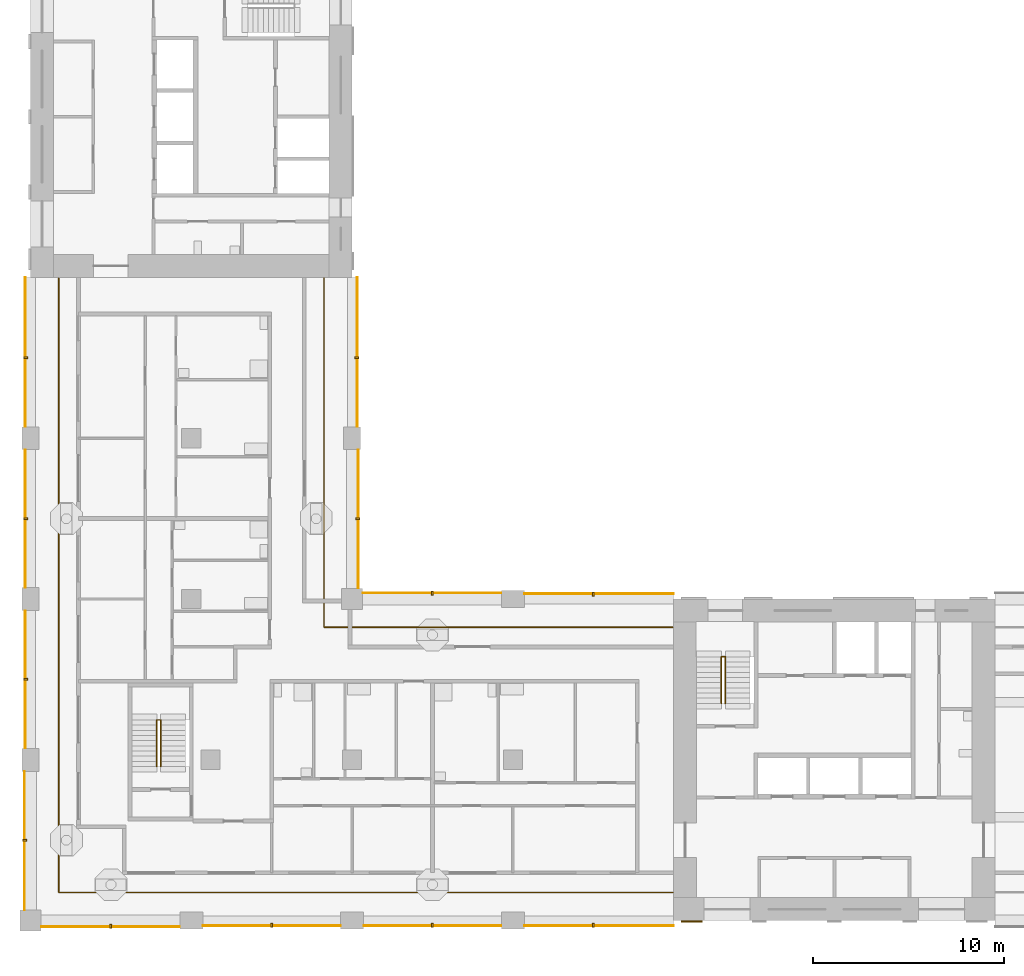
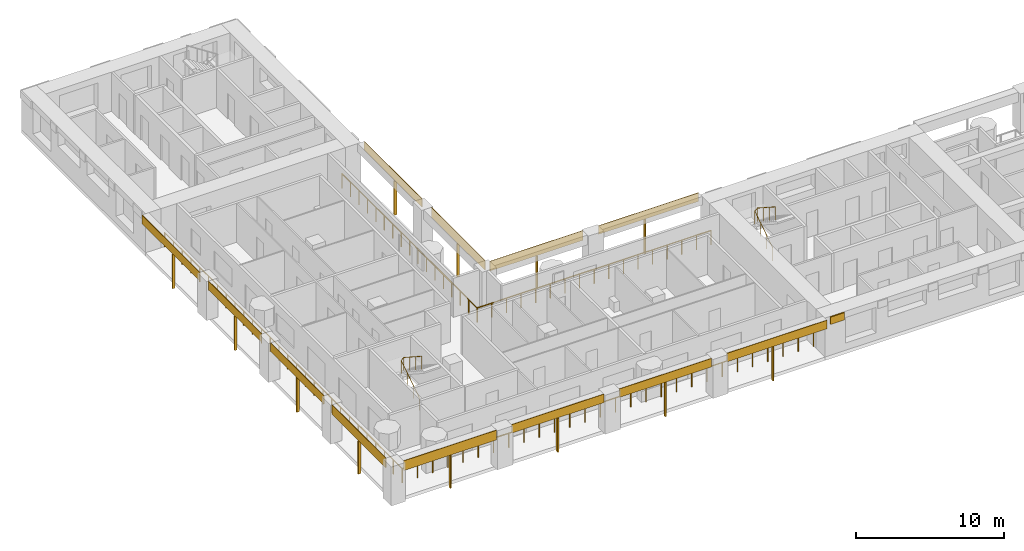
# One storey, part 8 of 13: 25 shading devices, 4 railings.
"""IFC4 building model written with IfcOpenShell, lengths in metres."""

from ifc_helpers import new_model, si_unit, direction, frame, origin, origin_2d, place, context, subcontext, project, spatial, rectangle, circle, extrude, material, layer, layer_set, material_profile, profile_set, type_object, element, save


model = new_model("IFC4")

# Units and contexts
model_context = context("Model", 3, precision=1e-05, world=origin(), true_north=direction((0.0, 1.0)))
body_context = subcontext(model_context, "Body", "Model", "MODEL_VIEW")
ifc_project = project(units=[si_unit("LENGTHUNIT", "METRE"), si_unit("AREAUNIT", "SQUARE_METRE"), si_unit("VOLUMEUNIT", "CUBIC_METRE"), si_unit("PLANEANGLEUNIT", "RADIAN"), si_unit("MASSUNIT", "GRAM", prefix="KILO")], contexts=[model_context])

# Site, building, storey
site_placement = place(None, origin())
site = spatial("IfcSite", under=ifc_project, at=site_placement, CompositionType="ELEMENT")
building_placement = place(site_placement, origin())
building = spatial("IfcBuilding", under=site, at=building_placement, Name="Vermilion Gate Residences", CompositionType="ELEMENT")
storey_placement = place(building_placement, frame((0.0, 0.0, 179.199951171875)))
storey = spatial("IfcBuildingStorey", under=building, at=storey_placement, Name="L46", CompositionType="ELEMENT", Elevation=179.199951171875)

# Railings
ifc_material_1 = material(Name="Stainless steel and toughened glass", Category="steel")
railing_type_1 = type_object("IfcRailingType", Name="LOGGIA GUARD STEEL AND GLASS 1200", PredefinedType="GUARDRAIL", material=ifc_material_1)
railing_1_placement = place(storey_placement, frame((41.97802734375, 23.72509765625, 0.0)))
element("IfcRailing", 1, at=railing_1_placement, inside=storey, type_object=railing_type_1, Name="Loggia guard", PredefinedType="GUARDRAIL", context=body_context, shape_type="SweptSolid", body=[
    extrude(circle(Radius=0.030029296875, at=origin_2d()), frame((0.0, 0.0, 1.169921875), z_axis=(-1.0, 0.0, 0.0), x_axis=(0.0, -1.0, 0.0)), (0.0, 0.0, 1.0), 18.2529296875),
    extrude(circle(Radius=0.030029296875, at=origin_2d()), frame((-18.2529296875, 0.0, 1.169921875), z_axis=(0.0, 1.0, 0.0), x_axis=(-1.0, 0.0, 0.0)), (0.0, 0.0, 1.0), 18.2529296875),
    extrude(circle(Radius=0.02490234375, at=origin_2d()), origin(), (0.0, 0.0, 1.0), 1.139892578125),
    extrude(circle(Radius=0.02490234375, at=origin_2d()), frame((-1.140869140625, 0.0, 0.0)), (0.0, 0.0, 1.0), 1.139892578125),
    extrude(circle(Radius=0.02490234375, at=origin_2d()), frame((-2.28173828125, 0.0, 0.0)), (0.0, 0.0, 1.0), 1.139892578125),
    extrude(circle(Radius=0.02490234375, at=origin_2d()), frame((-3.42236328125, 0.0, 0.0)), (0.0, 0.0, 1.0), 1.139892578125),
    extrude(circle(Radius=0.02490234375, at=origin_2d()), frame((-4.563232421875, 0.0, 0.0)), (0.0, 0.0, 1.0), 1.139892578125),
    extrude(circle(Radius=0.02490234375, at=origin_2d()), frame((-5.7041015625, 0.0, 0.0)), (0.0, 0.0, 1.0), 1.139892578125),
    extrude(circle(Radius=0.02490234375, at=origin_2d()), frame((-6.8447265625, 0.0, 0.0)), (0.0, 0.0, 1.0), 1.139892578125),
    extrude(circle(Radius=0.02490234375, at=origin_2d()), frame((-7.985595703125, 0.0, 0.0)), (0.0, 0.0, 1.0), 1.139892578125),
    extrude(circle(Radius=0.02490234375, at=origin_2d()), frame((-9.12646484375, 0.0, 0.0)), (0.0, 0.0, 1.0), 1.139892578125),
    extrude(circle(Radius=0.02490234375, at=origin_2d()), frame((-10.267333984375, 0.0, 0.0)), (0.0, 0.0, 1.0), 1.139892578125),
    extrude(circle(Radius=0.02490234375, at=origin_2d()), frame((-11.408203125, 0.0, 0.0)), (0.0, 0.0, 1.0), 1.139892578125),
    extrude(circle(Radius=0.02490234375, at=origin_2d()), frame((-12.548828125, 0.0, 0.0)), (0.0, 0.0, 1.0), 1.139892578125),
    extrude(circle(Radius=0.02490234375, at=origin_2d()), frame((-13.689697265625, 0.0, 0.0)), (0.0, 0.0, 1.0), 1.139892578125),
    extrude(circle(Radius=0.02490234375, at=origin_2d()), frame((-14.83056640625, 0.0, 0.0)), (0.0, 0.0, 1.0), 1.139892578125),
    extrude(circle(Radius=0.02490234375, at=origin_2d()), frame((-15.97119140625, 0.0, 0.0)), (0.0, 0.0, 1.0), 1.139892578125),
    extrude(circle(Radius=0.02490234375, at=origin_2d()), frame((-17.112060546875, 0.0, 0.0)), (0.0, 0.0, 1.0), 1.139892578125),
    extrude(circle(Radius=0.02490234375, at=origin_2d()), frame((-18.2529296875, 0.0, 0.0)), (0.0, 0.0, 1.0), 1.139892578125),
    extrude(circle(Radius=0.02490234375, at=origin_2d()), frame((-18.2529296875, 1.140869140625, 0.0)), (0.0, 0.0, 1.0), 1.139892578125),
    extrude(circle(Radius=0.02490234375, at=origin_2d()), frame((-18.2529296875, 2.28173828125, 0.0)), (0.0, 0.0, 1.0), 1.139892578125),
    extrude(circle(Radius=0.02490234375, at=origin_2d()), frame((-18.2529296875, 3.42236328125, 0.0)), (0.0, 0.0, 1.0), 1.139892578125),
    extrude(circle(Radius=0.02490234375, at=origin_2d()), frame((-18.2529296875, 4.563232421875, 0.0)), (0.0, 0.0, 1.0), 1.139892578125),
    extrude(circle(Radius=0.02490234375, at=origin_2d()), frame((-18.2529296875, 5.7041015625, 0.0)), (0.0, 0.0, 1.0), 1.139892578125),
    extrude(circle(Radius=0.02490234375, at=origin_2d()), frame((-18.2529296875, 6.8447265625, 0.0)), (0.0, 0.0, 1.0), 1.139892578125),
    extrude(circle(Radius=0.02490234375, at=origin_2d()), frame((-18.2529296875, 7.985595703125, 0.0)), (0.0, 0.0, 1.0), 1.139892578125),
    extrude(circle(Radius=0.02490234375, at=origin_2d()), frame((-18.2529296875, 9.12646484375, 0.0)), (0.0, 0.0, 1.0), 1.139892578125),
    extrude(circle(Radius=0.02490234375, at=origin_2d()), frame((-18.2529296875, 10.267333984375, 0.0)), (0.0, 0.0, 1.0), 1.139892578125),
    extrude(circle(Radius=0.02490234375, at=origin_2d()), frame((-18.2529296875, 11.408203125, 0.0)), (0.0, 0.0, 1.0), 1.139892578125),
    extrude(circle(Radius=0.02490234375, at=origin_2d()), frame((-18.2529296875, 12.548828125, 0.0)), (0.0, 0.0, 1.0), 1.139892578125),
    extrude(circle(Radius=0.02490234375, at=origin_2d()), frame((-18.2529296875, 13.689697265625, 0.0)), (0.0, 0.0, 1.0), 1.139892578125),
    extrude(circle(Radius=0.02490234375, at=origin_2d()), frame((-18.2529296875, 14.83056640625, 0.0)), (0.0, 0.0, 1.0), 1.139892578125),
    extrude(circle(Radius=0.02490234375, at=origin_2d()), frame((-18.2529296875, 15.97119140625, 0.0)), (0.0, 0.0, 1.0), 1.139892578125),
    extrude(circle(Radius=0.02490234375, at=origin_2d()), frame((-18.2529296875, 17.112060546875, 0.0)), (0.0, 0.0, 1.0), 1.139892578125),
    extrude(circle(Radius=0.02490234375, at=origin_2d()), frame((-18.2529296875, 18.2529296875, 0.0)), (0.0, 0.0, 1.0), 1.139892578125),
])
railing_2_placement = place(storey_placement, frame((9.875, 41.97802734375, 0.0)))
element("IfcRailing", 2, at=railing_2_placement, inside=storey, type_object=railing_type_1, Name="Loggia guard", PredefinedType="GUARDRAIL", context=body_context, shape_type="SweptSolid", body=[
    extrude(circle(Radius=0.030029296875, at=origin_2d()), frame((0.0, 0.0, 1.169921875), z_axis=(0.0, -1.0, 0.0), x_axis=(1.0, 0.0, 0.0)), (0.0, 0.0, 1.0), 32.10302734375),
    extrude(circle(Radius=0.030029296875, at=origin_2d()), frame((0.0, -32.10302734375, 1.169921875), z_axis=(1.0, 0.0, 0.0), x_axis=(0.0, 1.0, 0.0)), (0.0, 0.0, 1.0), 32.10302734375),
    extrude(circle(Radius=0.02490234375, at=origin_2d()), origin(), (0.0, 0.0, 1.0), 1.139892578125),
    extrude(circle(Radius=0.02490234375, at=origin_2d()), frame((0.0, -1.18896484375, 0.0)), (0.0, 0.0, 1.0), 1.139892578125),
    extrude(circle(Radius=0.02490234375, at=origin_2d()), frame((0.0, -2.3779296875, 0.0)), (0.0, 0.0, 1.0), 1.139892578125),
    extrude(circle(Radius=0.02490234375, at=origin_2d()), frame((0.0, -3.56689453125, 0.0)), (0.0, 0.0, 1.0), 1.139892578125),
    extrude(circle(Radius=0.02490234375, at=origin_2d()), frame((0.0, -4.756103515625, 0.0)), (0.0, 0.0, 1.0), 1.139892578125),
    extrude(circle(Radius=0.02490234375, at=origin_2d()), frame((0.0, -5.945068359375, 0.0)), (0.0, 0.0, 1.0), 1.139892578125),
    extrude(circle(Radius=0.02490234375, at=origin_2d()), frame((0.0, -7.134033203125, 0.0)), (0.0, 0.0, 1.0), 1.139892578125),
    extrude(circle(Radius=0.02490234375, at=origin_2d()), frame((0.0, -8.322998046875, 0.0)), (0.0, 0.0, 1.0), 1.139892578125),
    extrude(circle(Radius=0.02490234375, at=origin_2d()), frame((0.0, -9.511962890625, 0.0)), (0.0, 0.0, 1.0), 1.139892578125),
    extrude(circle(Radius=0.02490234375, at=origin_2d()), frame((0.0, -10.700927734375, 0.0)), (0.0, 0.0, 1.0), 1.139892578125),
    extrude(circle(Radius=0.02490234375, at=origin_2d()), frame((0.0, -11.889892578125, 0.0)), (0.0, 0.0, 1.0), 1.139892578125),
    extrude(circle(Radius=0.02490234375, at=origin_2d()), frame((0.0, -13.0791015625, 0.0)), (0.0, 0.0, 1.0), 1.139892578125),
    extrude(circle(Radius=0.02490234375, at=origin_2d()), frame((0.0, -14.26806640625, 0.0)), (0.0, 0.0, 1.0), 1.139892578125),
    extrude(circle(Radius=0.02490234375, at=origin_2d()), frame((0.0, -15.45703125, 0.0)), (0.0, 0.0, 1.0), 1.139892578125),
    extrude(circle(Radius=0.02490234375, at=origin_2d()), frame((0.0, -16.64599609375, 0.0)), (0.0, 0.0, 1.0), 1.139892578125),
    extrude(circle(Radius=0.02490234375, at=origin_2d()), frame((0.0, -17.8349609375, 0.0)), (0.0, 0.0, 1.0), 1.139892578125),
    extrude(circle(Radius=0.02490234375, at=origin_2d()), frame((0.0, -19.02392578125, 0.0)), (0.0, 0.0, 1.0), 1.139892578125),
    extrude(circle(Radius=0.02490234375, at=origin_2d()), frame((0.0, -20.213134765625, 0.0)), (0.0, 0.0, 1.0), 1.139892578125),
    extrude(circle(Radius=0.02490234375, at=origin_2d()), frame((0.0, -21.402099609375, 0.0)), (0.0, 0.0, 1.0), 1.139892578125),
    extrude(circle(Radius=0.02490234375, at=origin_2d()), frame((0.0, -22.591064453125, 0.0)), (0.0, 0.0, 1.0), 1.139892578125),
    extrude(circle(Radius=0.02490234375, at=origin_2d()), frame((0.0, -23.780029296875, 0.0)), (0.0, 0.0, 1.0), 1.139892578125),
    extrude(circle(Radius=0.02490234375, at=origin_2d()), frame((0.0, -24.968994140625, 0.0)), (0.0, 0.0, 1.0), 1.139892578125),
    extrude(circle(Radius=0.02490234375, at=origin_2d()), frame((0.0, -26.157958984375, 0.0)), (0.0, 0.0, 1.0), 1.139892578125),
    extrude(circle(Radius=0.02490234375, at=origin_2d()), frame((0.0, -27.346923828125, 0.0)), (0.0, 0.0, 1.0), 1.139892578125),
    extrude(circle(Radius=0.02490234375, at=origin_2d()), frame((0.0, -28.5361328125, 0.0)), (0.0, 0.0, 1.0), 1.139892578125),
    extrude(circle(Radius=0.02490234375, at=origin_2d()), frame((0.0, -29.72509765625, 0.0)), (0.0, 0.0, 1.0), 1.139892578125),
    extrude(circle(Radius=0.02490234375, at=origin_2d()), frame((0.0, -30.9140625, 0.0)), (0.0, 0.0, 1.0), 1.139892578125),
    extrude(circle(Radius=0.02490234375, at=origin_2d()), frame((0.0, -32.10302734375, 0.0)), (0.0, 0.0, 1.0), 1.139892578125),
    extrude(circle(Radius=0.02490234375, at=origin_2d()), frame((1.18896484375, -32.10302734375, 0.0)), (0.0, 0.0, 1.0), 1.139892578125),
    extrude(circle(Radius=0.02490234375, at=origin_2d()), frame((2.3779296875, -32.10302734375, 0.0)), (0.0, 0.0, 1.0), 1.139892578125),
    extrude(circle(Radius=0.02490234375, at=origin_2d()), frame((3.56689453125, -32.10302734375, 0.0)), (0.0, 0.0, 1.0), 1.139892578125),
    extrude(circle(Radius=0.02490234375, at=origin_2d()), frame((4.756103515625, -32.10302734375, 0.0)), (0.0, 0.0, 1.0), 1.139892578125),
    extrude(circle(Radius=0.02490234375, at=origin_2d()), frame((5.945068359375, -32.10302734375, 0.0)), (0.0, 0.0, 1.0), 1.139892578125),
    extrude(circle(Radius=0.02490234375, at=origin_2d()), frame((7.134033203125, -32.10302734375, 0.0)), (0.0, 0.0, 1.0), 1.139892578125),
    extrude(circle(Radius=0.02490234375, at=origin_2d()), frame((8.322998046875, -32.10302734375, 0.0)), (0.0, 0.0, 1.0), 1.139892578125),
    extrude(circle(Radius=0.02490234375, at=origin_2d()), frame((9.511962890625, -32.10302734375, 0.0)), (0.0, 0.0, 1.0), 1.139892578125),
    extrude(circle(Radius=0.02490234375, at=origin_2d()), frame((10.700927734375, -32.10302734375, 0.0)), (0.0, 0.0, 1.0), 1.139892578125),
    extrude(circle(Radius=0.02490234375, at=origin_2d()), frame((11.889892578125, -32.10302734375, 0.0)), (0.0, 0.0, 1.0), 1.139892578125),
    extrude(circle(Radius=0.02490234375, at=origin_2d()), frame((13.0791015625, -32.10302734375, 0.0)), (0.0, 0.0, 1.0), 1.139892578125),
    extrude(circle(Radius=0.02490234375, at=origin_2d()), frame((14.26806640625, -32.10302734375, 0.0)), (0.0, 0.0, 1.0), 1.139892578125),
    extrude(circle(Radius=0.02490234375, at=origin_2d()), frame((15.45703125, -32.10302734375, 0.0)), (0.0, 0.0, 1.0), 1.139892578125),
    extrude(circle(Radius=0.02490234375, at=origin_2d()), frame((16.64599609375, -32.10302734375, 0.0)), (0.0, 0.0, 1.0), 1.139892578125),
    extrude(circle(Radius=0.02490234375, at=origin_2d()), frame((17.8349609375, -32.10302734375, 0.0)), (0.0, 0.0, 1.0), 1.139892578125),
    extrude(circle(Radius=0.02490234375, at=origin_2d()), frame((19.02392578125, -32.10302734375, 0.0)), (0.0, 0.0, 1.0), 1.139892578125),
    extrude(circle(Radius=0.02490234375, at=origin_2d()), frame((20.213134765625, -32.10302734375, 0.0)), (0.0, 0.0, 1.0), 1.139892578125),
    extrude(circle(Radius=0.02490234375, at=origin_2d()), frame((21.402099609375, -32.10302734375, 0.0)), (0.0, 0.0, 1.0), 1.139892578125),
    extrude(circle(Radius=0.02490234375, at=origin_2d()), frame((22.591064453125, -32.10302734375, 0.0)), (0.0, 0.0, 1.0), 1.139892578125),
    extrude(circle(Radius=0.02490234375, at=origin_2d()), frame((23.780029296875, -32.10302734375, 0.0)), (0.0, 0.0, 1.0), 1.139892578125),
    extrude(circle(Radius=0.02490234375, at=origin_2d()), frame((24.968994140625, -32.10302734375, 0.0)), (0.0, 0.0, 1.0), 1.139892578125),
    extrude(circle(Radius=0.02490234375, at=origin_2d()), frame((26.157958984375, -32.10302734375, 0.0)), (0.0, 0.0, 1.0), 1.139892578125),
    extrude(circle(Radius=0.02490234375, at=origin_2d()), frame((27.346923828125, -32.10302734375, 0.0)), (0.0, 0.0, 1.0), 1.139892578125),
    extrude(circle(Radius=0.02490234375, at=origin_2d()), frame((28.5361328125, -32.10302734375, 0.0)), (0.0, 0.0, 1.0), 1.139892578125),
    extrude(circle(Radius=0.02490234375, at=origin_2d()), frame((29.72509765625, -32.10302734375, 0.0)), (0.0, 0.0, 1.0), 1.139892578125),
    extrude(circle(Radius=0.02490234375, at=origin_2d()), frame((30.9140625, -32.10302734375, 0.0)), (0.0, 0.0, 1.0), 1.139892578125),
    extrude(circle(Radius=0.02490234375, at=origin_2d()), frame((32.10302734375, -32.10302734375, 0.0)), (0.0, 0.0, 1.0), 1.139892578125),
])

# Shading devices
ifc_material_2 = material(Name="Perforated terracotta", Category="masonry")
ifc_layer_1 = layer(ifc_material_2, 0.0400390625)
ifc_layer_set_1 = layer_set([ifc_layer_1], Name="PERFORATED TERRACOTTA SCREEN 40")
shading_device_type_1 = type_object("IfcShadingDeviceType", Name="PERFORATED TERRACOTTA SCREEN 40", PredefinedType="SHUTTER", material=ifc_layer_set_1)
shading_device_1_placement = place(storey_placement, frame((12.574951171875, 8.080078125, 2.419921875), z_axis=(0.0, 0.0, 1.0), x_axis=(1.0, 0.0, 0.0)))
element("IfcShadingDevice", 3, at=shading_device_1_placement, inside=storey, type_object=shading_device_type_1, Name="SCREEN", PredefinedType="SHUTTER", context=body_context, shape_type="SweptSolid", body=[
    extrude(rectangle(XDim=7.25, YDim=0.0400390625, at=origin_2d()), origin(), (0.0, 0.0, 1.0), 0.800048828125),
])
for number, where, z_axis, x_axis, name in (
    (4, (21.0, 8.1298828125, 2.52001953125), (0.0, 0.0, 1.0), (1.0, 0.0, 0.0), "SCREEN"),
    (5, (29.39990234375, 8.1298828125, 2.52001953125), (0.0, 0.0, 1.0), (1.0, 0.0, 0.0), "SCREEN"),
):
    element("IfcShadingDevice", number, at=place(storey_placement, frame(where, z_axis=z_axis, x_axis=x_axis)), inside=storey, type_object=shading_device_type_1, Name=name, PredefinedType="SHUTTER", context=body_context, shape_type="SweptSolid", body=[
        extrude(rectangle(XDim=7.199951171875, YDim=0.0400390625, at=origin_2d()), origin(), (0.0, 0.0, 1.0), 0.699951171875),
    ])
shading_device_2_placement = place(storey_placement, frame((38.10009765625, 8.1298828125, 2.52001953125), z_axis=(0.0, 0.0, 1.0), x_axis=(1.0, 0.0, 0.0)))
element("IfcShadingDevice", 6, at=shading_device_2_placement, inside=storey, type_object=shading_device_type_1, Name="SCREEN", PredefinedType="SHUTTER", context=body_context, shape_type="SweptSolid", body=[
    extrude(rectangle(XDim=7.800048828125, YDim=0.0400390625, at=origin_2d()), origin(), (0.0, 0.0, 1.0), 0.699951171875),
])
shading_device_3_placement = place(storey_placement, frame((29.375, 25.52001953125, 2.419921875), z_axis=(0.0, 0.0, 1.0), x_axis=(-1.0, 0.0, 0.0)))
element("IfcShadingDevice", 7, at=shading_device_3_placement, inside=storey, type_object=shading_device_type_1, Name="SCREEN", PredefinedType="SHUTTER", context=body_context, shape_type="SweptSolid", body=[
    extrude(rectangle(XDim=7.25, YDim=0.0400390625, at=origin_2d()), origin(), (0.0, 0.0, 1.0), 0.800048828125),
])
shading_device_4_placement = place(storey_placement, frame((38.10009765625, 25.469970703125, 2.52001953125), z_axis=(0.0, 0.0, 1.0), x_axis=(-1.0, 0.0, 0.0)))
element("IfcShadingDevice", 8, at=shading_device_4_placement, inside=storey, type_object=shading_device_type_1, Name="SCREEN", PredefinedType="SHUTTER", context=body_context, shape_type="SweptSolid", body=[
    extrude(rectangle(XDim=7.800048828125, YDim=0.0400390625, at=origin_2d()), origin(), (0.0, 0.0, 1.0), 0.699951171875),
])
shading_device_5_placement = place(storey_placement, frame((25.52001953125, 29.375, 2.419921875), z_axis=(0.0, 0.0, 1.0), x_axis=(0.0, 1.0, 0.0)))
element("IfcShadingDevice", 9, at=shading_device_5_placement, inside=storey, type_object=shading_device_type_1, Name="SCREEN", PredefinedType="SHUTTER", context=body_context, shape_type="SweptSolid", body=[
    extrude(rectangle(XDim=7.25, YDim=0.0400390625, at=origin_2d()), origin(), (0.0, 0.0, 1.0), 0.800048828125),
])
shading_device_6_placement = place(storey_placement, frame((25.469970703125, 38.10009765625, 2.52001953125), z_axis=(0.0, 0.0, 1.0), x_axis=(0.0, 1.0, 0.0)))
element("IfcShadingDevice", 10, at=shading_device_6_placement, inside=storey, type_object=shading_device_type_1, Name="SCREEN", PredefinedType="SHUTTER", context=body_context, shape_type="SweptSolid", body=[
    extrude(rectangle(XDim=7.800048828125, YDim=0.0400390625, at=origin_2d()), origin(), (0.0, 0.0, 1.0), 0.699951171875),
])
shading_device_7_placement = place(storey_placement, frame((8.080078125, 12.574951171875, 2.419921875), z_axis=(0.0, 0.0, 1.0), x_axis=(0.0, -1.0, 0.0)))
element("IfcShadingDevice", 11, at=shading_device_7_placement, inside=storey, type_object=shading_device_type_1, Name="SCREEN", PredefinedType="SHUTTER", context=body_context, shape_type="SweptSolid", body=[
    extrude(rectangle(XDim=7.25, YDim=0.0400390625, at=origin_2d()), origin(), (0.0, 0.0, 1.0), 0.800048828125),
])
for number, where, z_axis, x_axis, name in (
    (12, (8.1298828125, 21.0, 2.52001953125), (0.0, 0.0, 1.0), (0.0, -1.0, 0.0), "SCREEN"),
    (13, (8.1298828125, 29.39990234375, 2.52001953125), (0.0, 0.0, 1.0), (0.0, -1.0, 0.0), "SCREEN"),
):
    element("IfcShadingDevice", number, at=place(storey_placement, frame(where, z_axis=z_axis, x_axis=x_axis)), inside=storey, type_object=shading_device_type_1, Name=name, PredefinedType="SHUTTER", context=body_context, shape_type="SweptSolid", body=[
        extrude(rectangle(XDim=7.199951171875, YDim=0.0400390625, at=origin_2d()), origin(), (0.0, 0.0, 1.0), 0.699951171875),
    ])
shading_device_8_placement = place(storey_placement, frame((8.1298828125, 38.10009765625, 2.52001953125), z_axis=(0.0, 0.0, 1.0), x_axis=(0.0, -1.0, 0.0)))
element("IfcShadingDevice", 14, at=shading_device_8_placement, inside=storey, type_object=shading_device_type_1, Name="SCREEN", PredefinedType="SHUTTER", context=body_context, shape_type="SweptSolid", body=[
    extrude(rectangle(XDim=7.800048828125, YDim=0.0400390625, at=origin_2d()), origin(), (0.0, 0.0, 1.0), 0.699951171875),
])

# Railings
ifc_material_3 = material(Name="Steel S355", Category="steel")
railing_type_2 = type_object("IfcRailingType", Name="STAIR GUARD 1100 STEEL", PredefinedType="GUARDRAIL", material=ifc_material_3)
for number, where, name in (
    (15, (44.5, 19.75, 0.175048828125), "Stair well guard STA1-46"),
    (16, (15.0, 16.449951171875, 0.175048828125), "Stair well guard STC1-46"),
):
    element("IfcRailing", number, at=place(storey_placement, frame(where)), inside=storey, type_object=railing_type_2, Name=name, PredefinedType="GUARDRAIL", context=body_context, shape_type="SweptSolid", body=[
        extrude(circle(Radius=0.02392578125, at=origin_2d()), frame((0.0, 0.0, 1.076171875), z_axis=(0.0, 0.839153699163, 0.543894354798), x_axis=(-1.0, 0.0, 0.0)), (0.0, 0.0, 1.0), 2.895751953125),
        extrude(circle(Radius=0.02392578125, at=origin_2d()), frame((0.0, 2.429931640625, 2.65087890625), z_axis=(0.752405939678, 0.0, 0.658699705433), x_axis=(0.0, 1.0, 0.0)), (0.0, 0.0, 1.0), 0.265869140625),
        extrude(circle(Radius=0.02392578125, at=origin_2d()), frame((0.199951171875, 2.429931640625, 2.826171875), z_axis=(0.0, -0.839153699163, 0.543894354798), x_axis=(1.0, 0.0, 0.0)), (0.0, 0.0, 1.0), 2.895751953125),
        extrude(circle(Radius=0.02099609375, at=origin_2d()), origin(), (0.0, 0.0, 1.0), 1.052001953125),
        extrude(circle(Radius=0.02099609375, at=origin_2d()), frame((0.0, 0.81005859375, 0.52490234375)), (0.0, 0.0, 1.0), 1.052001953125),
        extrude(circle(Radius=0.02099609375, at=origin_2d()), frame((0.0, 1.619873046875, 1.050048828125)), (0.0, 0.0, 1.0), 1.052001953125),
        extrude(circle(Radius=0.02099609375, at=origin_2d()), frame((0.0, 2.429931640625, 1.574951171875)), (0.0, 0.0, 1.0), 1.052001953125),
        extrude(circle(Radius=0.02099609375, at=origin_2d()), frame((0.199951171875, 2.429931640625, 1.75)), (0.0, 0.0, 1.0), 1.052001953125),
        extrude(circle(Radius=0.02099609375, at=origin_2d()), frame((0.199951171875, 1.619873046875, 2.27490234375)), (0.0, 0.0, 1.0), 1.052001953125),
        extrude(circle(Radius=0.02099609375, at=origin_2d()), frame((0.199951171875, 0.81005859375, 2.800048828125)), (0.0, 0.0, 1.0), 1.052001953125),
        extrude(circle(Radius=0.02099609375, at=origin_2d()), frame((0.199951171875, 0.0, 3.324951171875)), (0.0, 0.0, 1.0), 1.052001953125),
    ])

# Shading devices
ifc_material_4 = material(Name="Extruded terracotta", Category="masonry")
ifc_material_profile = material_profile(ifc_material_4, rectangle(XDim=0.199951171875, YDim=0.10009765625, at=origin_2d()), Name="BAGUETTE 100 X 200")
ifc_profile_set = profile_set([ifc_material_profile], Name="Extruded terracotta")
shading_device_type_2 = type_object("IfcShadingDeviceType", Name="TERRACOTTA BAGUETTE 100 X 200", PredefinedType="JALOUSIE", material=ifc_profile_set)
shading_device_9_placement = place(storey_placement, frame((12.60009765625, 8.10009765625, -0.280029296875), z_axis=(0.0, 0.0, 1.0), x_axis=(0.0, 1.0, 0.0)))
element("IfcShadingDevice", 17, at=shading_device_9_placement, inside=storey, type_object=shading_device_type_2, Name="BAGUETTE", PredefinedType="JALOUSIE", context=body_context, shape_type="SweptSolid", body=[
    extrude(rectangle(XDim=0.199951171875, YDim=0.10009765625, at=origin_2d()), origin(), (0.0, 0.0, 1.0), 2.7001953125),
])
for number, where, z_axis, x_axis, name in (
    (18, (21.0, 8.14990234375, -0.280029296875), (0.0, 0.0, 1.0), (0.0, 1.0, 0.0), "BAGUETTE"),
    (19, (29.39990234375, 8.14990234375, -0.280029296875), (0.0, 0.0, 1.0), (0.0, 1.0, 0.0), "BAGUETTE"),
    (20, (37.800048828125, 8.14990234375, -0.280029296875), (0.0, 0.0, 1.0), (0.0, 1.0, 0.0), "BAGUETTE"),
):
    element("IfcShadingDevice", number, at=place(storey_placement, frame(where, z_axis=z_axis, x_axis=x_axis)), inside=storey, type_object=shading_device_type_2, Name=name, PredefinedType="JALOUSIE", context=body_context, shape_type="SweptSolid", body=[
        extrude(rectangle(XDim=0.199951171875, YDim=0.10009765625, at=origin_2d()), origin(), (0.0, 0.0, 1.0), 2.800048828125),
    ])
shading_device_10_placement = place(storey_placement, frame((29.39990234375, 25.5, -0.280029296875), z_axis=(0.0, 0.0, 1.0), x_axis=(0.0, -1.0, 0.0)))
element("IfcShadingDevice", 21, at=shading_device_10_placement, inside=storey, type_object=shading_device_type_2, Name="BAGUETTE", PredefinedType="JALOUSIE", context=body_context, shape_type="SweptSolid", body=[
    extrude(rectangle(XDim=0.199951171875, YDim=0.10009765625, at=origin_2d()), origin(), (0.0, 0.0, 1.0), 2.7001953125),
])
shading_device_11_placement = place(storey_placement, frame((37.800048828125, 25.449951171875, -0.280029296875), z_axis=(0.0, 0.0, 1.0), x_axis=(0.0, -1.0, 0.0)))
element("IfcShadingDevice", 22, at=shading_device_11_placement, inside=storey, type_object=shading_device_type_2, Name="BAGUETTE", PredefinedType="JALOUSIE", context=body_context, shape_type="SweptSolid", body=[
    extrude(rectangle(XDim=0.199951171875, YDim=0.10009765625, at=origin_2d()), origin(), (0.0, 0.0, 1.0), 2.800048828125),
])
shading_device_12_placement = place(storey_placement, frame((25.5, 29.39990234375, -0.280029296875), z_axis=(0.0, 0.0, 1.0), x_axis=(-1.0, 0.0, 0.0)))
element("IfcShadingDevice", 23, at=shading_device_12_placement, inside=storey, type_object=shading_device_type_2, Name="BAGUETTE", PredefinedType="JALOUSIE", context=body_context, shape_type="SweptSolid", body=[
    extrude(rectangle(XDim=0.199951171875, YDim=0.10009765625, at=origin_2d()), origin(), (0.0, 0.0, 1.0), 2.7001953125),
])
shading_device_13_placement = place(storey_placement, frame((25.449951171875, 37.800048828125, -0.280029296875), z_axis=(0.0, 0.0, 1.0), x_axis=(-1.0, 0.0, 0.0)))
element("IfcShadingDevice", 24, at=shading_device_13_placement, inside=storey, type_object=shading_device_type_2, Name="BAGUETTE", PredefinedType="JALOUSIE", context=body_context, shape_type="SweptSolid", body=[
    extrude(rectangle(XDim=0.199951171875, YDim=0.10009765625, at=origin_2d()), origin(), (0.0, 0.0, 1.0), 2.800048828125),
])
shading_device_14_placement = place(storey_placement, frame((8.10009765625, 12.60009765625, -0.280029296875), z_axis=(0.0, 0.0, 1.0), x_axis=(1.0, 0.0, 0.0)))
element("IfcShadingDevice", 25, at=shading_device_14_placement, inside=storey, type_object=shading_device_type_2, Name="BAGUETTE", PredefinedType="JALOUSIE", context=body_context, shape_type="SweptSolid", body=[
    extrude(rectangle(XDim=0.199951171875, YDim=0.10009765625, at=origin_2d()), origin(), (0.0, 0.0, 1.0), 2.7001953125),
])
for number, where, z_axis, x_axis, name in (
    (26, (8.14990234375, 21.0, -0.280029296875), (0.0, 0.0, 1.0), (1.0, 0.0, 0.0), "BAGUETTE"),
    (27, (8.14990234375, 29.39990234375, -0.280029296875), (0.0, 0.0, 1.0), (1.0, 0.0, 0.0), "BAGUETTE"),
    (28, (8.14990234375, 37.800048828125, -0.280029296875), (0.0, 0.0, 1.0), (1.0, 0.0, 0.0), "BAGUETTE"),
):
    element("IfcShadingDevice", number, at=place(storey_placement, frame(where, z_axis=z_axis, x_axis=x_axis)), inside=storey, type_object=shading_device_type_2, Name=name, PredefinedType="JALOUSIE", context=body_context, shape_type="SweptSolid", body=[
        extrude(rectangle(XDim=0.199951171875, YDim=0.10009765625, at=origin_2d()), origin(), (0.0, 0.0, 1.0), 2.800048828125),
    ])
ifc_material_5 = material(Name="Extruded terracotta", Category="masonry")
ifc_layer_2 = layer(ifc_material_5, 0.10009765625)
ifc_layer_set_2 = layer_set([ifc_layer_2], Name="TERRACOTTA SPANDREL BAND 600 X 100")
shading_device_type_3 = type_object("IfcShadingDeviceType", Name="TERRACOTTA SPANDREL BAND 600 X 100", PredefinedType="USERDEFINED", material=ifc_layer_set_2)
shading_device_15_placement = place(storey_placement, frame((42.949951171875, 8.35009765625, 2.6201171875), z_axis=(0.0, 0.0, 1.0), x_axis=(1.0, 0.0, 0.0)))
element("IfcShadingDevice", 29, at=shading_device_15_placement, inside=storey, type_object=shading_device_type_3, Name="SPANDREL BAND", ObjectType="BAND", PredefinedType="USERDEFINED", context=body_context, shape_type="SweptSolid", body=[
    extrude(rectangle(XDim=1.10009765625, YDim=0.10009765625, at=origin_2d()), origin(), (0.0, 0.0, 1.0), 0.60009765625),
])

save(model, "model.ifc")
